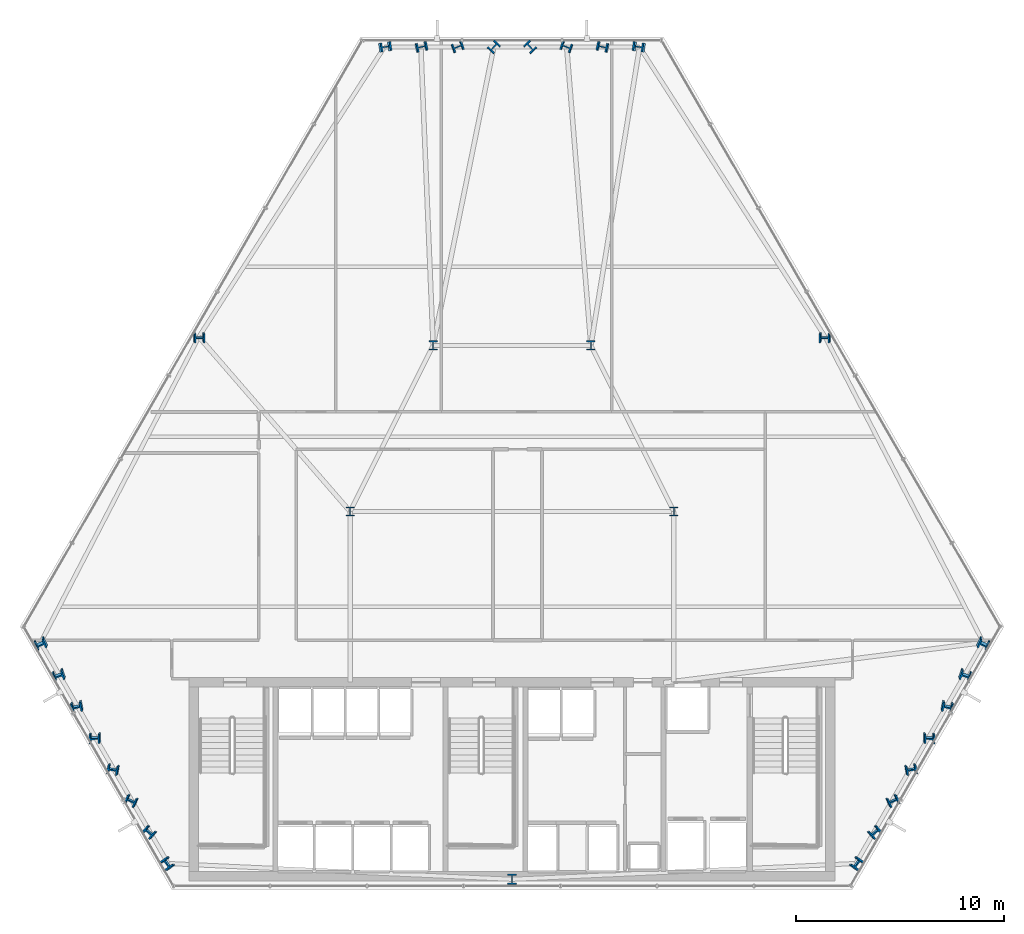
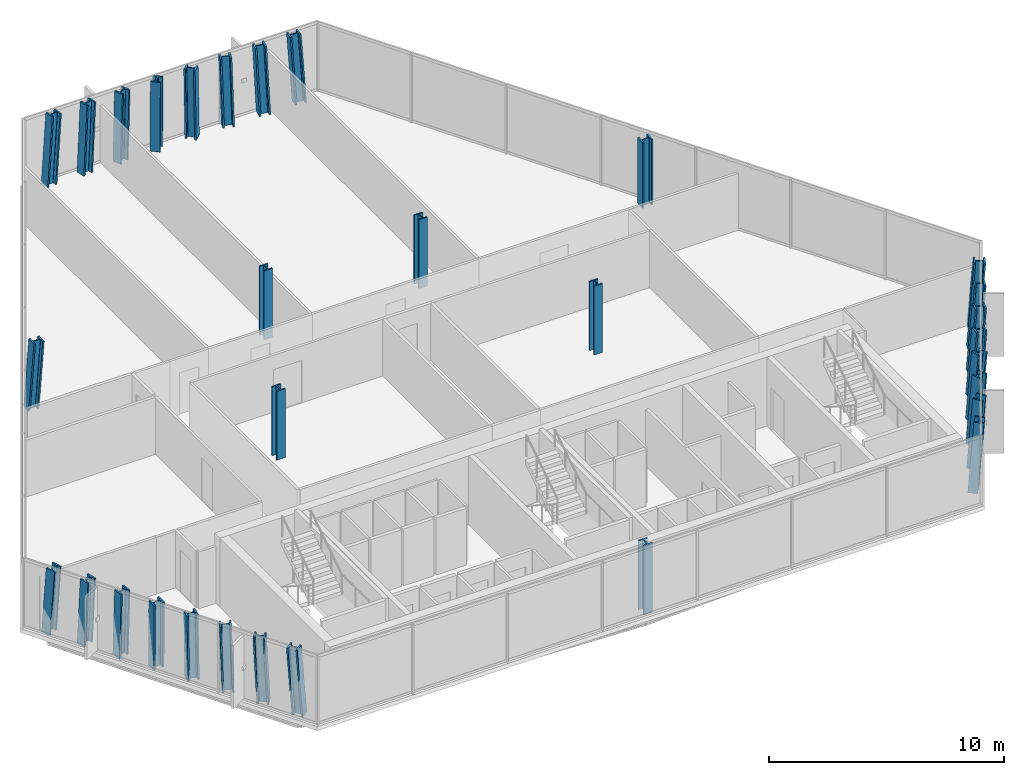
# One storey, part 1 of 33: 31 columns.
"""IFC4 building model written with IfcOpenShell, lengths in metres."""

from ifc_helpers import new_model, si_unit, direction, frame, origin, origin_2d, place, context, subcontext, project, spatial, i_section, extrude, material, material_profile, profile_set, type_object, element, save


model = new_model("IFC4")

# Units and contexts
model_context = context("Model", 3, precision=1e-05, world=origin(), true_north=direction((0.0, 1.0)))
body_context = subcontext(model_context, "Body", "Model", "MODEL_VIEW")
ifc_project = project(units=[si_unit("LENGTHUNIT", "METRE"), si_unit("AREAUNIT", "SQUARE_METRE"), si_unit("VOLUMEUNIT", "CUBIC_METRE"), si_unit("PLANEANGLEUNIT", "RADIAN"), si_unit("MASSUNIT", "GRAM", prefix="KILO")], contexts=[model_context])

# Site, building, storey
site_placement = place(None, origin())
site = spatial("IfcSite", under=ifc_project, at=site_placement, CompositionType="ELEMENT")
building_placement = place(site_placement, origin())
building = spatial("IfcBuilding", under=site, at=building_placement, Name="Ndaravel Arena Tower", CompositionType="ELEMENT")
storey_placement = place(building_placement, frame((0.0, 0.0, 89.199951171875)))
storey = spatial("IfcBuildingStorey", under=building, at=storey_placement, Name="L20", CompositionType="ELEMENT", Elevation=89.199951171875)

# Columns
ifc_material_1 = material(Name="Steel S460", Category="steel")
ifc_material_profile_1 = material_profile(ifc_material_1, i_section(OverallWidth=0.41845703125, OverallDepth=0.45556640625, WebThickness=0.0419921875, FlangeThickness=0.0673828125, FilletRadius=0.01513671875, at=origin_2d()), Name="UC 356x406x551")
ifc_profile_set_1 = profile_set([ifc_material_profile_1], Name="Steel S460")
column_type_1 = type_object("IfcColumnType", Name="COL-INT-UC551", PredefinedType="COLUMN", material=ifc_profile_set_1)
for number, where, z_axis, x_axis, name in (
    (1, (34.199951171875, 23.199951171875, 0.0), (0.0, 0.0, 1.0), (1.0, 0.0, 0.0), "L20 Interior Spine Column IC-01"),
    (2, (49.800048828125, 23.199951171875, 0.0), (0.0, 0.0, 1.0), (1.0, 0.0, 0.0), "L20 Interior Spine Column IC-02"),
    (3, (38.199951171875, 31.199951171875, 0.0), (0.0, 0.0, 1.0), (1.0, 0.0, 0.0), "L20 Interior Spine Column IC-03"),
    (4, (45.800048828125, 31.199951171875, 0.0), (0.0, 0.0, 1.0), (1.0, 0.0, 0.0), "L20 Interior Spine Column IC-04"),
):
    element("IfcColumn", number, at=place(storey_placement, frame(where, z_axis=z_axis, x_axis=x_axis)), inside=storey, type_object=column_type_1, Name=name, PredefinedType="COLUMN", context=body_context, shape_type="SweptSolid", body=[
        extrude(i_section(OverallWidth=0.41845703125, OverallDepth=0.45556640625, WebThickness=0.0419921875, FlangeThickness=0.0673828125, FilletRadius=0.01513671875, at=origin_2d()), origin(), (0.0, 0.0, 1.0), 3.580078125),
    ])
ifc_material_2 = material(Name="Steel S460", Category="steel")
ifc_material_profile_2 = material_profile(ifc_material_2, i_section(OverallWidth=0.43701171875, OverallDepth=0.513916015625, WebThickness=0.060546875, FlangeThickness=0.076904296875, FilletRadius=0.014892578125, at=origin_2d()), Name="HD 400x818")
ifc_profile_set_2 = profile_set([ifc_material_profile_2], Name="Steel S460")
column_type_2 = type_object("IfcColumnType", Name="COL-TUBE-HD818", PredefinedType="COLUMN", material=ifc_profile_set_2)
column_1_placement = place(storey_placement, frame((42.0, 5.47998046875, 0.0), z_axis=(0.0, 0.0, 1.0), x_axis=(1.0, 0.0, 0.0)))
element("IfcColumn", 5, at=column_1_placement, inside=storey, type_object=column_type_2, Name="L20 Framed Tube Column TC-01", PredefinedType="COLUMN", context=body_context, shape_type="SweptSolid", body=[
    extrude(i_section(OverallWidth=0.43701171875, OverallDepth=0.513916015625, WebThickness=0.060546875, FlangeThickness=0.076904296875, FilletRadius=0.014892578125, at=origin_2d()), origin(), (0.0, 0.0, 1.0), 3.580078125),
])
column_2_placement = place(storey_placement, frame((58.563232421875, 6.240478515625, 0.0), z_axis=(0.079599151352, -0.008496920511, 0.996790739045), x_axis=(-0.805297814331, 0.588803246695, 0.069326523896)))
element("IfcColumn", 6, at=column_2_placement, inside=storey, type_object=column_type_2, Name="L20 Framed Tube Column TC-02", PredefinedType="COLUMN", context=body_context, shape_type="SweptSolid", body=[
    extrude(i_section(OverallWidth=0.43701171875, OverallDepth=0.513916015625, WebThickness=0.060546875, FlangeThickness=0.076904296875, FilletRadius=0.014892578125, at=origin_2d()), origin(), (0.0, 0.0, 1.0), 3.591552734375),
])
column_3_placement = place(storey_placement, frame((59.44140625, 7.761474609375, 0.0), z_axis=(0.069841728492, -0.02543408613, 0.997233794165), x_axis=(-0.640403196751, 0.765336642111, 0.064370566504)))
element("IfcColumn", 7, at=column_3_placement, inside=storey, type_object=column_type_2, Name="L20 Framed Tube Column TC-03", PredefinedType="COLUMN", context=body_context, shape_type="SweptSolid", body=[
    extrude(i_section(OverallWidth=0.43701171875, OverallDepth=0.513916015625, WebThickness=0.060546875, FlangeThickness=0.076904296875, FilletRadius=0.014892578125, at=origin_2d()), origin(), (0.0, 0.0, 1.0), 3.590087890625),
])
column_4_placement = place(storey_placement, frame((60.319580078125, 9.282470703125, 0.0), z_axis=(0.059984707223, -0.042438160212, 0.997296764989), x_axis=(-0.41629274108, 0.907001092511, 0.063634675352)))
element("IfcColumn", 8, at=column_4_placement, inside=storey, type_object=column_type_2, Name="L20 Framed Tube Column TC-04", PredefinedType="COLUMN", context=body_context, shape_type="SweptSolid", body=[
    extrude(i_section(OverallWidth=0.43701171875, OverallDepth=0.513916015625, WebThickness=0.060546875, FlangeThickness=0.076904296875, FilletRadius=0.014892578125, at=origin_2d()), origin(), (0.0, 0.0, 1.0), 3.58984375),
])
column_5_placement = place(storey_placement, frame((61.19775390625, 10.803466796875, 0.0), z_axis=(0.050175104004, -0.059353476687, 0.996975237277), x_axis=(-0.175563131942, 0.982164601536, 0.067307371012)))
element("IfcColumn", 9, at=column_5_placement, inside=storey, type_object=column_type_2, Name="L20 Framed Tube Column TC-05", PredefinedType="COLUMN", context=body_context, shape_type="SweptSolid", body=[
    extrude(i_section(OverallWidth=0.43701171875, OverallDepth=0.513916015625, WebThickness=0.060546875, FlangeThickness=0.076904296875, FilletRadius=0.014892578125, at=origin_2d()), origin(), (0.0, 0.0, 1.0), 3.5908203125),
])
column_6_placement = place(storey_placement, frame((62.07568359375, 12.324462890625, 0.0), z_axis=(0.040424026835, -0.076296104429, 0.996265427737), x_axis=(0.037878466592, 0.996480719154, 0.074775651936)))
element("IfcColumn", 10, at=column_6_placement, inside=storey, type_object=column_type_2, Name="L20 Framed Tube Column TC-06", PredefinedType="COLUMN", context=body_context, shape_type="SweptSolid", body=[
    extrude(i_section(OverallWidth=0.43701171875, OverallDepth=0.513916015625, WebThickness=0.060546875, FlangeThickness=0.076904296875, FilletRadius=0.014892578125, at=origin_2d()), origin(), (0.0, 0.0, 1.0), 3.593505859375),
])
column_7_placement = place(storey_placement, frame((62.9541015625, 13.845458984375, 0.0), z_axis=(0.030539703682, -0.093112163226, 0.995187143988), x_axis=(0.206497376951, 0.974759930435, 0.084864075622)))
element("IfcColumn", 11, at=column_7_placement, inside=storey, type_object=column_type_2, Name="L20 Framed Tube Column TC-07", PredefinedType="COLUMN", context=body_context, shape_type="SweptSolid", body=[
    extrude(i_section(OverallWidth=0.43701171875, OverallDepth=0.513916015625, WebThickness=0.060546875, FlangeThickness=0.076904296875, FilletRadius=0.014892578125, at=origin_2d()), origin(), (0.0, 0.0, 1.0), 3.597412109375),
])
column_8_placement = place(storey_placement, frame((63.83203125, 15.366455078125, 0.0), z_axis=(0.020804367699, -0.109849772116, 0.993730449292), x_axis=(0.331126240507, 0.938605650545, 0.096823786395)))
element("IfcColumn", 12, at=column_8_placement, inside=storey, type_object=column_type_2, Name="L20 Framed Tube Column TC-08", PredefinedType="COLUMN", context=body_context, shape_type="SweptSolid", body=[
    extrude(i_section(OverallWidth=0.43701171875, OverallDepth=0.513916015625, WebThickness=0.060546875, FlangeThickness=0.076904296875, FilletRadius=0.014892578125, at=origin_2d()), origin(), (0.0, 0.0, 1.0), 3.602783203125),
])
column_9_placement = place(storey_placement, frame((64.710205078125, 16.887451171875, 0.0), z_axis=(0.011025598109, -0.126557632283, 0.991897979581), x_axis=(0.423559529264, 0.899162680827, 0.110017264904)))
element("IfcColumn", 13, at=column_9_placement, inside=storey, type_object=column_type_2, Name="L20 Framed Tube Column TC-09", PredefinedType="COLUMN", context=body_context, shape_type="SweptSolid", body=[
    extrude(i_section(OverallWidth=0.43701171875, OverallDepth=0.513916015625, WebThickness=0.060546875, FlangeThickness=0.076904296875, FilletRadius=0.014892578125, at=origin_2d()), origin(), (0.0, 0.0, 1.0), 3.609375),
])
column_10_placement = place(storey_placement, frame((57.087158203125, 31.61181640625, 0.0), z_axis=(-0.036048720469, -0.062507120965, 0.997393277289), x_axis=(-0.001605279341, 0.998044305261, 0.062489901697)))
element("IfcColumn", 14, at=column_10_placement, inside=storey, type_object=column_type_2, Name="L20 Framed Tube Column TC-10", PredefinedType="COLUMN", context=body_context, shape_type="SweptSolid", body=[
    extrude(i_section(OverallWidth=0.43701171875, OverallDepth=0.513916015625, WebThickness=0.060546875, FlangeThickness=0.076904296875, FilletRadius=0.014892578125, at=origin_2d()), origin(), (0.0, 0.0, 1.0), 3.58935546875),
])
column_11_placement = place(storey_placement, frame((48.147216796875, 45.575927734375, 0.0), z_axis=(-0.068641788512, 0.010612605558, 0.997584922437), x_axis=(-0.152793139879, -0.988258193189, 0.0)))
element("IfcColumn", 15, at=column_11_placement, inside=storey, type_object=column_type_2, Name="L20 Framed Tube Column TC-11", PredefinedType="COLUMN", context=body_context, shape_type="SweptSolid", body=[
    extrude(i_section(OverallWidth=0.43701171875, OverallDepth=0.513916015625, WebThickness=0.060546875, FlangeThickness=0.076904296875, FilletRadius=0.014892578125, at=origin_2d()), origin(), (0.0, 0.0, 1.0), 3.5888671875),
])
column_12_placement = place(storey_placement, frame((46.390625, 45.575927734375, 0.0), z_axis=(-0.049037990192, 0.010624897875, 0.998740400236), x_axis=(-0.211753347006, -0.977323140027, 0.0)))
element("IfcColumn", 16, at=column_12_placement, inside=storey, type_object=column_type_2, Name="L20 Framed Tube Column TC-12", PredefinedType="COLUMN", context=body_context, shape_type="SweptSolid", body=[
    extrude(i_section(OverallWidth=0.43701171875, OverallDepth=0.513916015625, WebThickness=0.060546875, FlangeThickness=0.076904296875, FilletRadius=0.014892578125, at=origin_2d()), origin(), (0.0, 0.0, 1.0), 3.58447265625),
])
column_13_placement = place(storey_placement, frame((44.634521484375, 45.575927734375, 0.0), z_axis=(-0.029445461471, 0.010633083309, 0.999509831036), x_axis=(-0.339644463778, -0.940553899692, 0.0)))
element("IfcColumn", 17, at=column_13_placement, inside=storey, type_object=column_type_2, Name="L20 Framed Tube Column TC-13", PredefinedType="COLUMN", context=body_context, shape_type="SweptSolid", body=[
    extrude(i_section(OverallWidth=0.43701171875, OverallDepth=0.513916015625, WebThickness=0.060546875, FlangeThickness=0.076904296875, FilletRadius=0.014892578125, at=origin_2d()), origin(), (0.0, 0.0, 1.0), 3.581787109375),
])
for number, where, z_axis, x_axis, name in (
    (18, (42.878173828125, 45.575927734375, 0.0), (-0.009818938271, 0.010637183127, 0.999895213903), (-0.734803444627, -0.678280102733, 0.0), "L20 Framed Tube Column TC-14"),
    (19, (41.121826171875, 45.575927734375, 0.0), (0.009818938271, 0.010637183127, 0.999895213903), (-0.734803444627, 0.678280102733, 0.0), "L20 Framed Tube Column TC-15"),
):
    element("IfcColumn", number, at=place(storey_placement, frame(where, z_axis=z_axis, x_axis=x_axis)), inside=storey, type_object=column_type_2, Name=name, PredefinedType="COLUMN", context=body_context, shape_type="SweptSolid", body=[
        extrude(i_section(OverallWidth=0.43701171875, OverallDepth=0.513916015625, WebThickness=0.060546875, FlangeThickness=0.076904296875, FilletRadius=0.014892578125, at=origin_2d()), origin(), (0.0, 0.0, 1.0), 3.58056640625),
    ])
column_14_placement = place(storey_placement, frame((39.365478515625, 45.575927734375, 0.0), z_axis=(0.029445461471, 0.010633083309, 0.999509831036), x_axis=(-0.339644463778, 0.940553899692, 0.0)))
element("IfcColumn", 20, at=column_14_placement, inside=storey, type_object=column_type_2, Name="L20 Framed Tube Column TC-16", PredefinedType="COLUMN", context=body_context, shape_type="SweptSolid", body=[
    extrude(i_section(OverallWidth=0.43701171875, OverallDepth=0.513916015625, WebThickness=0.060546875, FlangeThickness=0.076904296875, FilletRadius=0.014892578125, at=origin_2d()), origin(), (0.0, 0.0, 1.0), 3.581787109375),
])
column_15_placement = place(storey_placement, frame((37.609375, 45.575927734375, 0.0), z_axis=(0.049037990192, 0.010624897875, 0.998740400236), x_axis=(-0.211753347006, 0.977323140027, 0.0)))
element("IfcColumn", 21, at=column_15_placement, inside=storey, type_object=column_type_2, Name="L20 Framed Tube Column TC-17", PredefinedType="COLUMN", context=body_context, shape_type="SweptSolid", body=[
    extrude(i_section(OverallWidth=0.43701171875, OverallDepth=0.513916015625, WebThickness=0.060546875, FlangeThickness=0.076904296875, FilletRadius=0.014892578125, at=origin_2d()), origin(), (0.0, 0.0, 1.0), 3.58447265625),
])
column_16_placement = place(storey_placement, frame((35.852783203125, 45.575927734375, 0.0), z_axis=(0.068641788512, 0.010612605558, 0.997584922437), x_axis=(-0.152793139879, 0.988258193189, 0.0)))
element("IfcColumn", 22, at=column_16_placement, inside=storey, type_object=column_type_2, Name="L20 Framed Tube Column TC-18", PredefinedType="COLUMN", context=body_context, shape_type="SweptSolid", body=[
    extrude(i_section(OverallWidth=0.43701171875, OverallDepth=0.513916015625, WebThickness=0.060546875, FlangeThickness=0.076904296875, FilletRadius=0.014892578125, at=origin_2d()), origin(), (0.0, 0.0, 1.0), 3.5888671875),
])
column_17_placement = place(storey_placement, frame((26.912841796875, 31.61181640625, 0.0), z_axis=(0.036116648285, -0.062506967559, 0.997390829476), x_axis=(0.000791765879, 0.998043447526, 0.062519196713)))
element("IfcColumn", 23, at=column_17_placement, inside=storey, type_object=column_type_2, Name="L20 Framed Tube Column TC-19", PredefinedType="COLUMN", context=body_context, shape_type="SweptSolid", body=[
    extrude(i_section(OverallWidth=0.43701171875, OverallDepth=0.513916015625, WebThickness=0.060546875, FlangeThickness=0.076904296875, FilletRadius=0.014892578125, at=origin_2d()), origin(), (0.0, 0.0, 1.0), 3.58935546875),
])
column_18_placement = place(storey_placement, frame((19.289794921875, 16.887451171875, 0.0), z_axis=(-0.011025598109, -0.126557632283, 0.991897979581), x_axis=(-0.423559529264, 0.899162680827, 0.110017264904)))
element("IfcColumn", 24, at=column_18_placement, inside=storey, type_object=column_type_2, Name="L20 Framed Tube Column TC-20", PredefinedType="COLUMN", context=body_context, shape_type="SweptSolid", body=[
    extrude(i_section(OverallWidth=0.43701171875, OverallDepth=0.513916015625, WebThickness=0.060546875, FlangeThickness=0.076904296875, FilletRadius=0.014892578125, at=origin_2d()), origin(), (0.0, 0.0, 1.0), 3.609375),
])
column_19_placement = place(storey_placement, frame((20.16796875, 15.366455078125, 0.0), z_axis=(-0.020804367699, -0.109849772116, 0.993730449292), x_axis=(-0.331126240507, 0.938605650545, 0.096823786395)))
element("IfcColumn", 25, at=column_19_placement, inside=storey, type_object=column_type_2, Name="L20 Framed Tube Column TC-21", PredefinedType="COLUMN", context=body_context, shape_type="SweptSolid", body=[
    extrude(i_section(OverallWidth=0.43701171875, OverallDepth=0.513916015625, WebThickness=0.060546875, FlangeThickness=0.076904296875, FilletRadius=0.014892578125, at=origin_2d()), origin(), (0.0, 0.0, 1.0), 3.602783203125),
])
column_20_placement = place(storey_placement, frame((21.0458984375, 13.845458984375, 0.0), z_axis=(-0.030539703682, -0.093112163226, 0.995187143988), x_axis=(-0.206497376951, 0.974759930435, 0.084864075622)))
element("IfcColumn", 26, at=column_20_placement, inside=storey, type_object=column_type_2, Name="L20 Framed Tube Column TC-22", PredefinedType="COLUMN", context=body_context, shape_type="SweptSolid", body=[
    extrude(i_section(OverallWidth=0.43701171875, OverallDepth=0.513916015625, WebThickness=0.060546875, FlangeThickness=0.076904296875, FilletRadius=0.014892578125, at=origin_2d()), origin(), (0.0, 0.0, 1.0), 3.597412109375),
])
column_21_placement = place(storey_placement, frame((21.92431640625, 12.324462890625, 0.0), z_axis=(-0.040424026835, -0.076296104429, 0.996265427737), x_axis=(-0.037878466592, 0.996480719154, 0.074775651936)))
element("IfcColumn", 27, at=column_21_placement, inside=storey, type_object=column_type_2, Name="L20 Framed Tube Column TC-23", PredefinedType="COLUMN", context=body_context, shape_type="SweptSolid", body=[
    extrude(i_section(OverallWidth=0.43701171875, OverallDepth=0.513916015625, WebThickness=0.060546875, FlangeThickness=0.076904296875, FilletRadius=0.014892578125, at=origin_2d()), origin(), (0.0, 0.0, 1.0), 3.593505859375),
])
column_22_placement = place(storey_placement, frame((22.80224609375, 10.803466796875, 0.0), z_axis=(-0.050175104004, -0.059353476687, 0.996975237277), x_axis=(0.175563131942, 0.982164601536, 0.067307371012)))
element("IfcColumn", 28, at=column_22_placement, inside=storey, type_object=column_type_2, Name="L20 Framed Tube Column TC-24", PredefinedType="COLUMN", context=body_context, shape_type="SweptSolid", body=[
    extrude(i_section(OverallWidth=0.43701171875, OverallDepth=0.513916015625, WebThickness=0.060546875, FlangeThickness=0.076904296875, FilletRadius=0.014892578125, at=origin_2d()), origin(), (0.0, 0.0, 1.0), 3.5908203125),
])
column_23_placement = place(storey_placement, frame((23.680419921875, 9.282470703125, 0.0), z_axis=(-0.059984707223, -0.042438160212, 0.997296764989), x_axis=(0.41629274108, 0.907001092511, 0.063634675352)))
element("IfcColumn", 29, at=column_23_placement, inside=storey, type_object=column_type_2, Name="L20 Framed Tube Column TC-25", PredefinedType="COLUMN", context=body_context, shape_type="SweptSolid", body=[
    extrude(i_section(OverallWidth=0.43701171875, OverallDepth=0.513916015625, WebThickness=0.060546875, FlangeThickness=0.076904296875, FilletRadius=0.014892578125, at=origin_2d()), origin(), (0.0, 0.0, 1.0), 3.58984375),
])
column_24_placement = place(storey_placement, frame((24.55859375, 7.761474609375, 0.0), z_axis=(-0.069841728492, -0.02543408613, 0.997233794165), x_axis=(0.640403196751, 0.765336642111, 0.064370566504)))
element("IfcColumn", 30, at=column_24_placement, inside=storey, type_object=column_type_2, Name="L20 Framed Tube Column TC-26", PredefinedType="COLUMN", context=body_context, shape_type="SweptSolid", body=[
    extrude(i_section(OverallWidth=0.43701171875, OverallDepth=0.513916015625, WebThickness=0.060546875, FlangeThickness=0.076904296875, FilletRadius=0.014892578125, at=origin_2d()), origin(), (0.0, 0.0, 1.0), 3.590087890625),
])
column_25_placement = place(storey_placement, frame((25.436767578125, 6.240478515625, 0.0), z_axis=(-0.079599151352, -0.008496920511, 0.996790739045), x_axis=(0.805297814331, 0.588803246695, 0.069326523896)))
element("IfcColumn", 31, at=column_25_placement, inside=storey, type_object=column_type_2, Name="L20 Framed Tube Column TC-27", PredefinedType="COLUMN", context=body_context, shape_type="SweptSolid", body=[
    extrude(i_section(OverallWidth=0.43701171875, OverallDepth=0.513916015625, WebThickness=0.060546875, FlangeThickness=0.076904296875, FilletRadius=0.014892578125, at=origin_2d()), origin(), (0.0, 0.0, 1.0), 3.591552734375),
])

save(model, "model.ifc")
